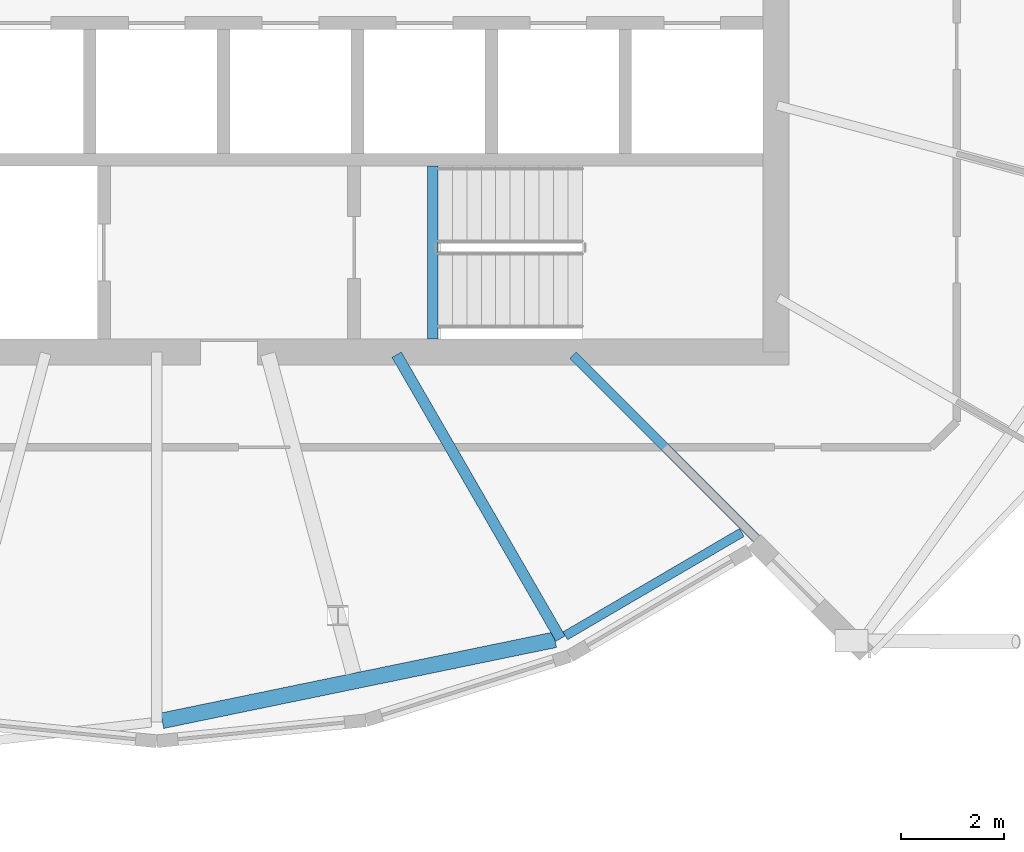
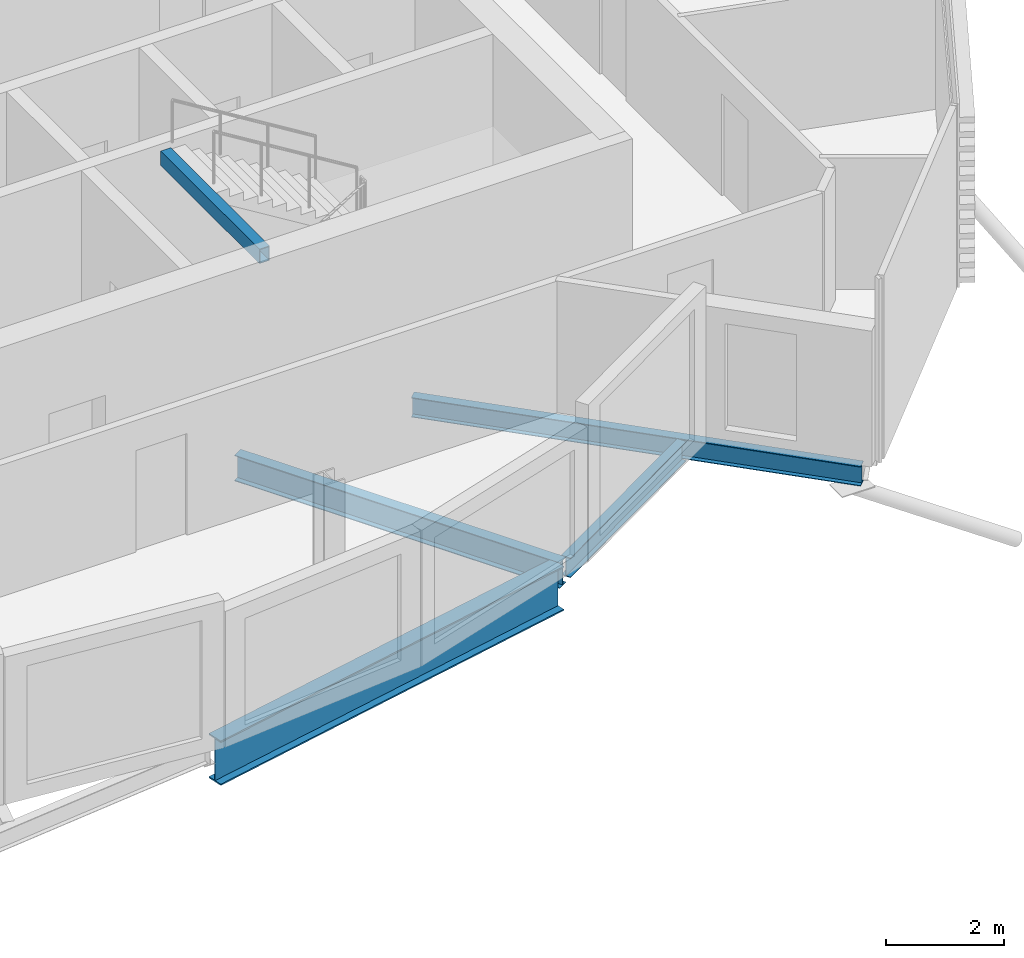
# One storey, part 4 of 35: 5 beams.
"""IFC4 building model written with IfcOpenShell, lengths in metres."""

from ifc_helpers import new_model, si_unit, direction, frame, origin, origin_2d, place, context, subcontext, project, spatial, hollow_rectangle, i_section, extrude, material, material_profile, profile_set, type_object, element, save


model = new_model("IFC4")

# Units and contexts
model_context = context("Model", 3, precision=1e-05, world=origin(), true_north=direction((0.0, 1.0)))
body_context = subcontext(model_context, "Body", "Model", "MODEL_VIEW")
ifc_project = project(units=[si_unit("LENGTHUNIT", "METRE"), si_unit("AREAUNIT", "SQUARE_METRE"), si_unit("VOLUMEUNIT", "CUBIC_METRE"), si_unit("PLANEANGLEUNIT", "RADIAN"), si_unit("MASSUNIT", "GRAM", prefix="KILO")], contexts=[model_context])

# Site, building, storey
site_placement = place(None, origin())
site = spatial("IfcSite", under=ifc_project, at=site_placement, CompositionType="ELEMENT")
building_placement = place(site_placement, origin())
building = spatial("IfcBuilding", under=site, at=building_placement, Name="Rimbun Link Towers", CompositionType="ELEMENT")
storey_placement = place(building_placement, frame((0.0, 0.0, 229.5)))
storey = spatial("IfcBuildingStorey", under=building, at=storey_placement, Name="L56", CompositionType="ELEMENT", Elevation=229.5)

# Beams
ifc_material_1 = material(Name="Steel S355J2", Category="steel")
ifc_material_profile_1 = material_profile(ifc_material_1, hollow_rectangle(XDim=0.199951171875, YDim=0.300048828125, WallThickness=0.011962890625, at=origin_2d()), Name="BOX 300x200x12")
ifc_profile_set_1 = profile_set([ifc_material_profile_1], Name="Steel S355J2")
beam_type_1 = type_object("IfcBeamType", Name="Stair trimmer beam BOX 300x200x12", PredefinedType="BEAM", material=ifc_profile_set_1)
beam_1_placement = place(storey_placement, frame((-26.39990234375, -7.75, 3.510009765625), z_axis=(0.0, 1.0, 0.0), x_axis=(-1.0, 0.0, 0.0)))
element("IfcBeam", 1, at=beam_1_placement, inside=storey, type_object=beam_type_1, Name="L56 ST2 stair beam 1", PredefinedType="BEAM", context=body_context, shape_type="SweptSolid", body=[
    extrude(hollow_rectangle(XDim=0.199951171875, YDim=0.300048828125, WallThickness=0.011962890625, at=origin_2d()), origin(), (0.0, 0.0, 1.0), 3.35009765625),
])
ifc_material_2 = material(Name="Steel S355J2", Category="steel")
ifc_material_profile_2 = material_profile(ifc_material_2, i_section(OverallWidth=0.177978515625, OverallDepth=0.406494140625, WebThickness=0.0078125, FlangeThickness=0.0126953125, at=origin_2d()), Name="UB 406x178x60")
ifc_profile_set_2 = profile_set([ifc_material_profile_2], Name="Steel S355J2")
beam_type_2 = type_object("IfcBeamType", Name="UB 406x178x60", PredefinedType="BEAM", material=ifc_profile_set_2)
beam_2_placement = place(storey_placement, frame((-23.686279296875, -8.063720703125, -0.34326171875), z_axis=(0.707106781187, -0.707106781187, 0.0), x_axis=(0.707106781187, 0.707106781187, 0.0)))
element("IfcBeam", 2, at=beam_2_placement, inside=storey, type_object=beam_type_2, Name="Radial beam T1 L56 21", PredefinedType="BEAM", context=body_context, shape_type="SweptSolid", body=[
    extrude(i_section(OverallWidth=0.177978515625, OverallDepth=0.406494140625, WebThickness=0.0078125, FlangeThickness=0.0126953125, at=origin_2d()), origin(), (0.0, 0.0, 1.0), 7.87646484375),
])
beam_3_placement = place(storey_placement, frame((-23.832275390625, -13.501708984375, -0.34326171875), z_axis=(0.863043275728, 0.505129987449, 0.0), x_axis=(-0.505129987449, 0.863043275728, 0.0)))
element("IfcBeam", 3, at=beam_3_placement, inside=storey, type_object=beam_type_2, Name="Edge beam T1 L56 20 recess", PredefinedType="BEAM", context=body_context, shape_type="SweptSolid", body=[
    extrude(i_section(OverallWidth=0.177978515625, OverallDepth=0.406494140625, WebThickness=0.0078125, FlangeThickness=0.0126953125, at=origin_2d()), origin(), (0.0, 0.0, 1.0), 3.965087890625),
])
ifc_material_3 = material(Name="Steel S355J2", Category="steel")
ifc_material_profile_3 = material_profile(ifc_material_3, i_section(OverallWidth=0.209228515625, OverallDepth=0.533203125, WebThickness=0.010009765625, FlangeThickness=0.015625, at=origin_2d()), Name="UB 533x210x92")
ifc_profile_set_3 = profile_set([ifc_material_profile_3], Name="Steel S355J2")
beam_type_3 = type_object("IfcBeamType", Name="UB 533x210x92", PredefinedType="BEAM", material=ifc_profile_set_3)
beam_4_placement = place(storey_placement, frame((-27.1005859375, -8.05322265625, -0.406494140625), z_axis=(0.500007406234, -0.866021127751, 0.0), x_axis=(0.866021127751, 0.500007406234, 0.0)))
element("IfcBeam", 4, at=beam_4_placement, inside=storey, type_object=beam_type_3, Name="Radial beam T1 L56 20", PredefinedType="BEAM", context=body_context, shape_type="SweptSolid", body=[
    extrude(i_section(OverallWidth=0.209228515625, OverallDepth=0.533203125, WebThickness=0.010009765625, FlangeThickness=0.015625, at=origin_2d()), origin(), (0.0, 0.0, 1.0), 6.353515625),
])
ifc_material_4 = material(Name="Steel S355J2", Category="steel")
ifc_material_profile_4 = material_profile(ifc_material_4, i_section(OverallWidth=0.305419921875, OverallDepth=0.91845703125, WebThickness=0.017333984375, FlangeThickness=0.02783203125, at=origin_2d()), Name="UB 914x305x253")
ifc_profile_set_4 = profile_set([ifc_material_profile_4], Name="Steel S355J2")
beam_type_4 = type_object("IfcBeamType", Name="UB 914x305x253", PredefinedType="BEAM", material=ifc_profile_set_4)
beam_5_placement = place(storey_placement, frame((-31.644287109375, -15.147216796875, -0.59912109375), z_axis=(0.979399884904, 0.201930348018, 0.0), x_axis=(-0.201930348018, 0.979399884904, 0.0)))
element("IfcBeam", 5, at=beam_5_placement, inside=storey, type_object=beam_type_4, Name="Edge beam T1 L56 18-20", PredefinedType="BEAM", context=body_context, shape_type="SweptSolid", body=[
    extrude(i_section(OverallWidth=0.305419921875, OverallDepth=0.91845703125, WebThickness=0.017333984375, FlangeThickness=0.02783203125, at=origin_2d()), origin(), (0.0, 0.0, 1.0), 7.771728515625),
])

save(model, "model.ifc")
